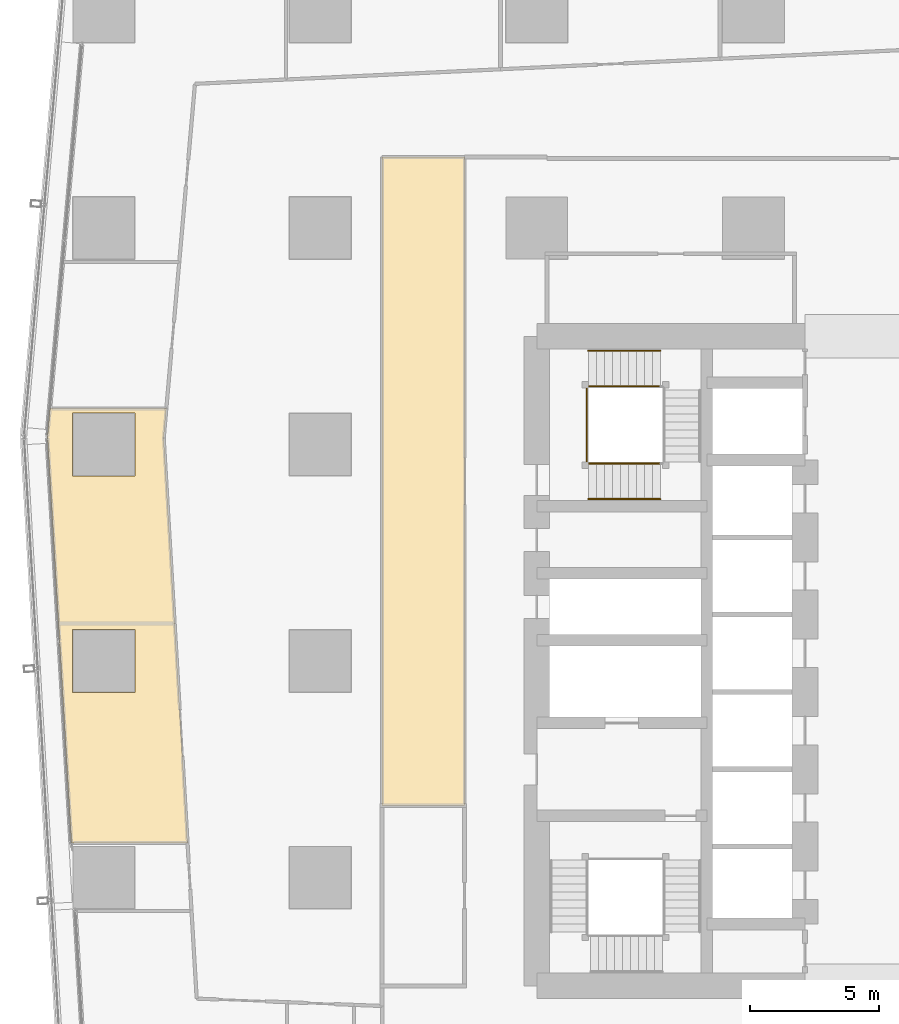
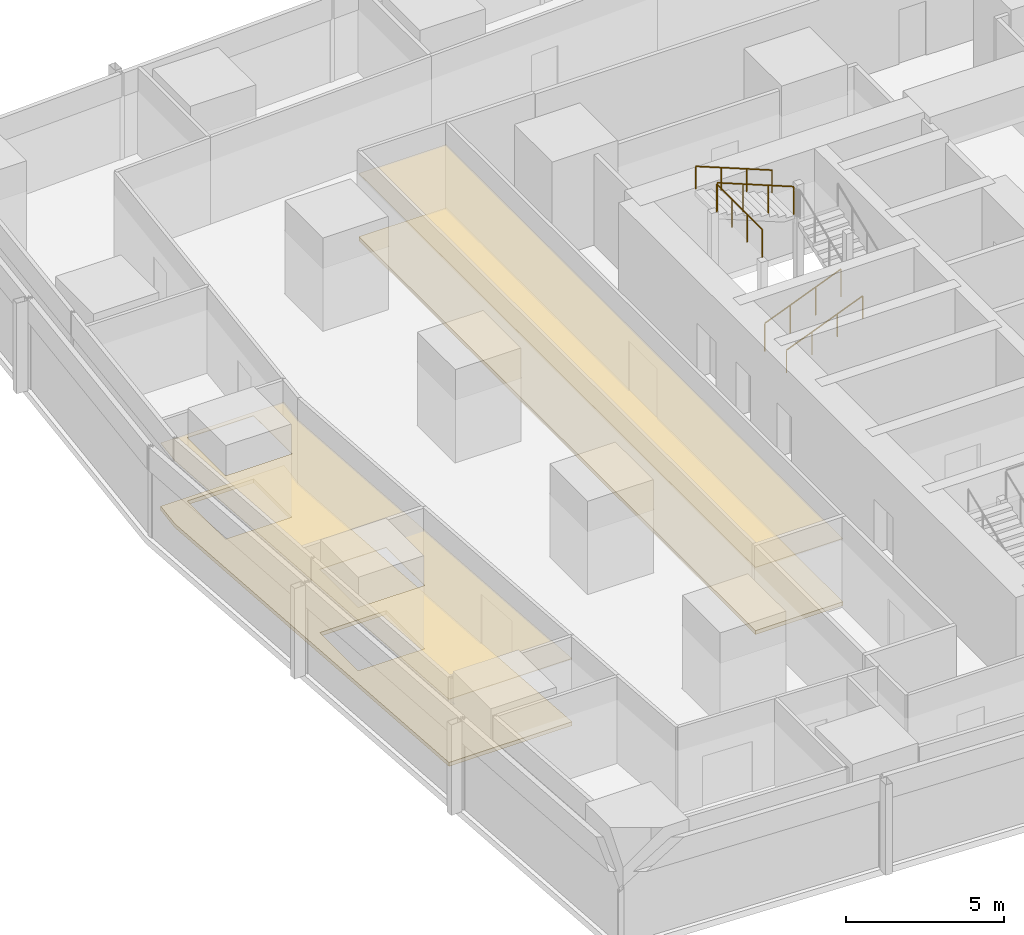
# One storey, part 30 of 37: 5 railings, 4 coverings.
"""IFC4 building model written with IfcOpenShell, lengths in metres."""

from ifc_helpers import new_model, si_unit, direction, frame, origin, origin_2d, place, context, subcontext, project, spatial, polyline, circle, outline, extrude, material, layer, layer_set, type_object, element, save


model = new_model("IFC4")

# Units and contexts
model_context = context("Model", 3, precision=1e-05, world=origin(), true_north=direction((0.0, 1.0)))
body_context = subcontext(model_context, "Body", "Model", "MODEL_VIEW")
ifc_project = project(units=[si_unit("LENGTHUNIT", "METRE"), si_unit("AREAUNIT", "SQUARE_METRE"), si_unit("VOLUMEUNIT", "CUBIC_METRE"), si_unit("PLANEANGLEUNIT", "RADIAN"), si_unit("MASSUNIT", "GRAM", prefix="KILO")], contexts=[model_context])

# Site, building, storey
site_placement = place(None, origin())
site = spatial("IfcSite", under=ifc_project, at=site_placement, CompositionType="ELEMENT")
building_placement = place(site_placement, origin())
building = spatial("IfcBuilding", under=site, at=building_placement, Name="Rekha Terrace Tower", CompositionType="ELEMENT")
storey_placement = place(building_placement, frame((0.0, 0.0, 228.949951171875)))
storey = spatial("IfcBuildingStorey", under=building, at=storey_placement, Name="L58", CompositionType="ELEMENT", Elevation=228.949951171875)

# Coverings
ifc_material_1 = material(Name="Mineral fibre tile in exposed grid", Category="finish")
ifc_layer_1 = layer(ifc_material_1, 0.02001953125)
ifc_layer_set_1 = layer_set([ifc_layer_1], Name="Mineral fibre tile in exposed grid")
covering_type_1 = type_object("IfcCoveringType", Name="CL1 600x1200 office grid ceiling", PredefinedType="CEILING", material=ifc_layer_set_1)
covering_1_placement = place(storey_placement, frame((0.0, 0.0, 2.580078125)))
element("IfcCovering", 1, at=covering_1_placement, inside=storey, type_object=covering_type_1, Name="Ceiling L58-10", PredefinedType="CEILING", context=body_context, shape_type="SweptSolid", body=[
    extrude(outline(polyline([(10.825927734375, 43.39111328125), (6.30810546875, 43.39111328125), (6.212890625, 42.31494140625), (6.639892578125, 35.06005859375), (7.14111328125, 26.547119140625), (11.64892578125, 26.547119140625), (11.14794921875, 35.06005859375), (10.72509765625, 42.2490234375), (10.825927734375, 43.39111328125)]), holes=[polyline([(9.614990234375, 34.81494140625), (9.614990234375, 32.385009765625), (7.18505859375, 32.385009765625), (7.18505859375, 34.81494140625), (9.614990234375, 34.81494140625)]), polyline([(9.614990234375, 40.784912109375), (7.18505859375, 40.784912109375), (7.18505859375, 43.215087890625), (9.614990234375, 43.215087890625), (9.614990234375, 40.784912109375)])]), origin(), (0.0, 0.0, 1.0), 0.02001953125),
])
covering_2_placement = place(storey_placement, frame((0.0, 0.0, 2.580078125)))
element("IfcCovering", 2, at=covering_2_placement, inside=storey, type_object=covering_type_1, Name="Ceiling L58-15", PredefinedType="CEILING", context=body_context, shape_type="SweptSolid", body=[
    extrude(outline(polyline([(19.199951171875, 53.14990234375), (19.199951171875, 28.0), (22.39990234375, 28.0), (22.39990234375, 53.14990234375), (19.199951171875, 53.14990234375)])), origin(), (0.0, 0.0, 1.0), 0.02001953125),
])

# Railings
ifc_material_2 = material(Name="Stainless steel balustrade", Category="steel")
railing_type_1 = type_object("IfcRailingType", Name="GR1 1100 stair guard", PredefinedType="GUARDRAIL", material=ifc_material_2)
railing_1_placement = place(storey_placement, frame((27.199951171875, 41.264892578125, 0.125)))
element("IfcRailing", 3, at=railing_1_placement, inside=storey, type_object=railing_type_1, Name="Guard ST4 L58 flight 1", PredefinedType="GUARDRAIL", context=body_context, shape_type="SweptSolid", body=[
    extrude(circle(Radius=0.02392578125, at=origin_2d()), frame((0.0, 0.0, 1.076171875), z_axis=(0.927443287984, 0.0, 0.373963831907), x_axis=(0.0, 1.0, 0.0)), (0.0, 0.0, 1.0), 3.00830078125),
    extrude(circle(Radius=0.02099609375, at=origin_2d()), origin(), (0.0, 0.0, 1.0), 1.052001953125),
    extrude(circle(Radius=0.02099609375, at=origin_2d()), frame((0.929931640625, 0.0, 0.375)), (0.0, 0.0, 1.0), 1.052001953125),
    extrude(circle(Radius=0.02099609375, at=origin_2d()), frame((1.860107421875, 0.0, 0.75)), (0.0, 0.0, 1.0), 1.052001953125),
    extrude(circle(Radius=0.02099609375, at=origin_2d()), frame((2.7900390625, 0.0, 1.125)), (0.0, 0.0, 1.0), 1.052001953125),
])
railing_2_placement = place(storey_placement, frame((29.989990234375, 44.260009765625, 2.625)))
element("IfcRailing", 4, at=railing_2_placement, inside=storey, type_object=railing_type_1, Name="Guard ST4 L58 flight 3", PredefinedType="GUARDRAIL", context=body_context, shape_type="SweptSolid", body=[
    extrude(circle(Radius=0.02392578125, at=origin_2d()), frame((0.0, 0.0, 1.076171875), z_axis=(-0.927443287984, 0.0, 0.373963831907), x_axis=(0.0, -1.0, 0.0)), (0.0, 0.0, 1.0), 3.00830078125),
    extrude(circle(Radius=0.02099609375, at=origin_2d()), origin(), (0.0, 0.0, 1.0), 1.052001953125),
    extrude(circle(Radius=0.02099609375, at=origin_2d()), frame((-0.929931640625, 0.0, 0.375)), (0.0, 0.0, 1.0), 1.052001953125),
    extrude(circle(Radius=0.02099609375, at=origin_2d()), frame((-1.860107421875, 0.0, 0.75)), (0.0, 0.0, 1.0), 1.052001953125),
    extrude(circle(Radius=0.02099609375, at=origin_2d()), frame((-2.7900390625, 0.0, 1.125)), (0.0, 0.0, 1.0), 1.052001953125),
])
railing_3_placement = place(storey_placement, frame((27.139892578125, 41.324951171875, 3.75)))
element("IfcRailing", 5, at=railing_3_placement, inside=storey, type_object=railing_type_1, Name="Guard ST4 L58 landing 4", PredefinedType="GUARDRAIL", context=body_context, shape_type="SweptSolid", body=[
    extrude(circle(Radius=0.02392578125, at=origin_2d()), frame((0.0, 0.0, 1.076171875), z_axis=(0.0, 1.0, 0.0), x_axis=(-1.0, 0.0, 0.0)), (0.0, 0.0, 1.0), 2.875),
    extrude(circle(Radius=0.02099609375, at=origin_2d()), origin(), (0.0, 0.0, 1.0), 1.052001953125),
    extrude(circle(Radius=0.02099609375, at=origin_2d()), frame((0.0, 0.958251953125, 0.0)), (0.0, 0.0, 1.0), 1.052001953125),
    extrude(circle(Radius=0.02099609375, at=origin_2d()), frame((0.0, 1.916748046875, 0.0)), (0.0, 0.0, 1.0), 1.052001953125),
    extrude(circle(Radius=0.02099609375, at=origin_2d()), frame((0.0, 2.875, 0.0)), (0.0, 0.0, 1.0), 1.052001953125),
])
ifc_material_3 = material(Name="Stainless steel tube", Category="steel")
railing_type_2 = type_object("IfcRailingType", Name="HR1 900 stair handrail", PredefinedType="HANDRAIL", material=ifc_material_3)
railing_4_placement = place(storey_placement, frame((27.199951171875, 39.885009765625, 0.125)))
element("IfcRailing", 6, at=railing_4_placement, inside=storey, type_object=railing_type_2, Name="Handrail ST4 L58 flight 1", PredefinedType="HANDRAIL", context=body_context, shape_type="SweptSolid", body=[
    extrude(circle(Radius=0.02392578125, at=origin_2d()), frame((0.0, 0.0, 0.8759765625), z_axis=(0.927443287984, 0.0, 0.373963831907), x_axis=(0.0, 1.0, 0.0)), (0.0, 0.0, 1.0), 3.00830078125),
    extrude(circle(Radius=0.02099609375, at=origin_2d()), origin(), (0.0, 0.0, 1.0), 0.851806640625),
    extrude(circle(Radius=0.02099609375, at=origin_2d()), frame((0.929931640625, 0.0, 0.375)), (0.0, 0.0, 1.0), 0.851806640625),
    extrude(circle(Radius=0.02099609375, at=origin_2d()), frame((1.860107421875, 0.0, 0.75)), (0.0, 0.0, 1.0), 0.851806640625),
    extrude(circle(Radius=0.02099609375, at=origin_2d()), frame((2.7900390625, 0.0, 1.125)), (0.0, 0.0, 1.0), 0.851806640625),
])
railing_5_placement = place(storey_placement, frame((29.989990234375, 45.639892578125, 2.625)))
element("IfcRailing", 7, at=railing_5_placement, inside=storey, type_object=railing_type_2, Name="Handrail ST4 L58 flight 3", PredefinedType="HANDRAIL", context=body_context, shape_type="SweptSolid", body=[
    extrude(circle(Radius=0.02392578125, at=origin_2d()), frame((0.0, 0.0, 0.8759765625), z_axis=(-0.927443287984, 0.0, 0.373963831907), x_axis=(0.0, -1.0, 0.0)), (0.0, 0.0, 1.0), 3.00830078125),
    extrude(circle(Radius=0.02099609375, at=origin_2d()), origin(), (0.0, 0.0, 1.0), 0.851806640625),
    extrude(circle(Radius=0.02099609375, at=origin_2d()), frame((-0.929931640625, 0.0, 0.375)), (0.0, 0.0, 1.0), 0.851806640625),
    extrude(circle(Radius=0.02099609375, at=origin_2d()), frame((-1.860107421875, 0.0, 0.75)), (0.0, 0.0, 1.0), 0.851806640625),
    extrude(circle(Radius=0.02099609375, at=origin_2d()), frame((-2.7900390625, 0.0, 1.125)), (0.0, 0.0, 1.0), 0.851806640625),
])

# Coverings
ifc_material_4 = material(Name="Calcium sulphate panels on steel pedestals", Category="steel")
ifc_layer_2 = layer(ifc_material_4, 0.14990234375)
ifc_layer_set_2 = layer_set([ifc_layer_2], Name="Calcium sulphate panels on steel pedestals")
covering_type_2 = type_object("IfcCoveringType", Name="RF1 150 raised access floor", PredefinedType="FLOORING", material=ifc_layer_set_2)
covering_3_placement = place(storey_placement, origin())
element("IfcCovering", 8, at=covering_3_placement, inside=storey, type_object=covering_type_2, Name="Raised floor L58-10", PredefinedType="FLOORING", context=body_context, shape_type="SweptSolid", body=[
    extrude(outline(polyline([(10.825927734375, 43.39111328125), (6.30810546875, 43.39111328125), (6.212890625, 42.31494140625), (6.639892578125, 35.06005859375), (7.14111328125, 26.547119140625), (11.64892578125, 26.547119140625), (11.14794921875, 35.06005859375), (10.72509765625, 42.2490234375), (10.825927734375, 43.39111328125)]), holes=[polyline([(9.614990234375, 34.81494140625), (9.614990234375, 32.385009765625), (7.18505859375, 32.385009765625), (7.18505859375, 34.81494140625), (9.614990234375, 34.81494140625)]), polyline([(9.614990234375, 40.784912109375), (7.18505859375, 40.784912109375), (7.18505859375, 43.215087890625), (9.614990234375, 43.215087890625), (9.614990234375, 40.784912109375)])]), origin(), (0.0, 0.0, 1.0), 0.150146484375),
])
covering_4_placement = place(storey_placement, origin())
element("IfcCovering", 9, at=covering_4_placement, inside=storey, type_object=covering_type_2, Name="Raised floor L58-15", PredefinedType="FLOORING", context=body_context, shape_type="SweptSolid", body=[
    extrude(outline(polyline([(19.199951171875, 53.14990234375), (19.199951171875, 28.0), (22.39990234375, 28.0), (22.39990234375, 53.14990234375), (19.199951171875, 53.14990234375)])), origin(), (0.0, 0.0, 1.0), 0.150146484375),
])

save(model, "model.ifc")
